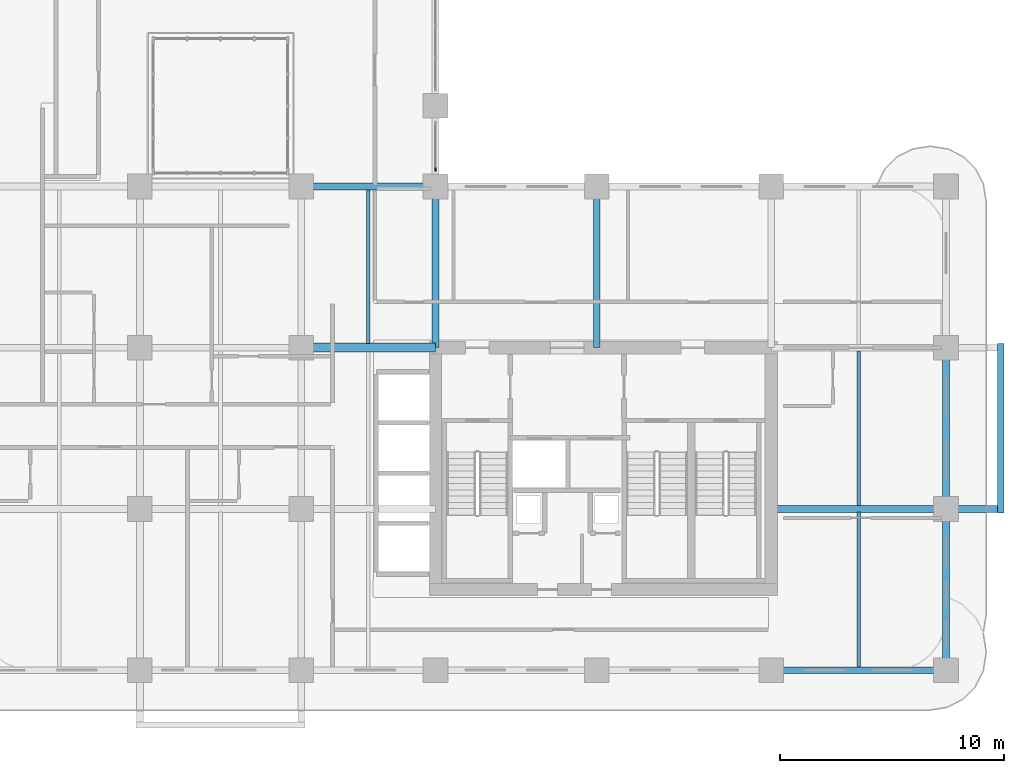
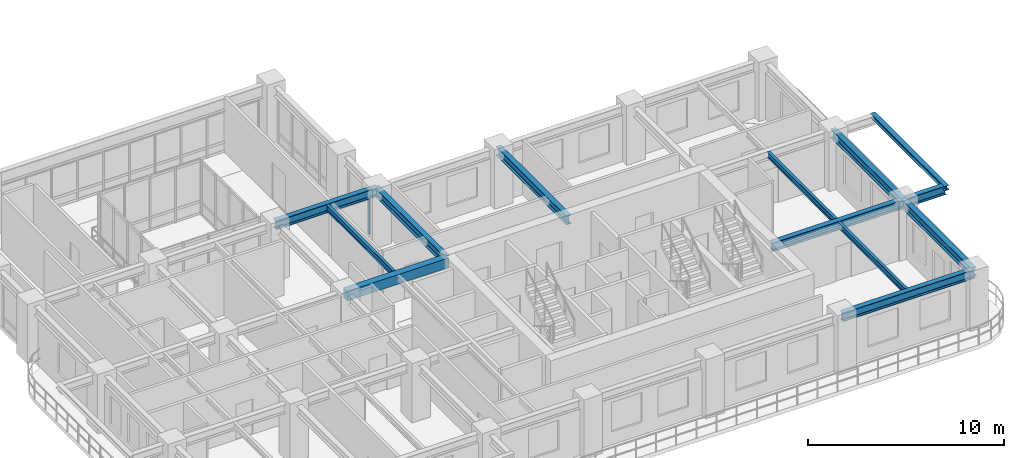
# One storey, part 4 of 22: 12 beams, 1 member, 1 element without a shape of its own.
"""IFC4 building model written with IfcOpenShell, lengths in metres."""

from ifc_helpers import new_model, si_unit, derived_unit, direction, frame, origin, origin_2d, place, context, subcontext, project, spatial, rectangle, i_section, extrude, source, transform, mapped, material, layer, layer_set, material_profile, profile_set, type_object, type_shapes, element, aggregate, save


model = new_model("IFC4")

# Units and contexts
model_context = context("Model", 3, precision=1e-05, world=origin(), true_north=direction((0.0, 1.0)))
body_context = subcontext(model_context, "Body", "Model", "MODEL_VIEW")
ifc_project = project(units=[si_unit("LENGTHUNIT", "METRE"), si_unit("AREAUNIT", "SQUARE_METRE"), si_unit("VOLUMEUNIT", "CUBIC_METRE"), si_unit("PLANEANGLEUNIT", "RADIAN"), si_unit("MASSUNIT", "GRAM", prefix="KILO"), si_unit("THERMODYNAMICTEMPERATUREUNIT", "KELVIN"), si_unit("POWERUNIT", "WATT"), derived_unit("THERMALTRANSMITTANCEUNIT", [(si_unit("POWERUNIT", "WATT"), 1), (si_unit("AREAUNIT", "SQUARE_METRE"), -1), (si_unit("THERMODYNAMICTEMPERATUREUNIT", "KELVIN"), -1)])], contexts=[model_context])

# Site, building, storey
site_placement = place(None, origin())
site = spatial("IfcSite", under=ifc_project, at=site_placement, CompositionType="ELEMENT")
building_placement = place(site_placement, origin())
building = spatial("IfcBuilding", under=site, at=building_placement, Name="Zahravan Archway Hotel and Residences", CompositionType="ELEMENT")
storey_placement = place(building_placement, frame((0.0, 0.0, 87.89990234375)))
storey = spatial("IfcBuildingStorey", under=building, at=storey_placement, Name="L21", CompositionType="ELEMENT", Elevation=87.89990234375)

# Beams
ifc_material_1 = material(Name="Structural Steel S355JR", Category="steel")
ifc_material_profile_1 = material_profile(ifc_material_1, i_section(OverallWidth=0.280029296875, OverallDepth=0.280029296875, WebThickness=0.010498046875, FlangeThickness=0.01806640625, FilletRadius=0.02392578125, at=origin_2d()), Name="HEB 280", Category="steel")
ifc_profile_set_1 = profile_set([ifc_material_profile_1], Name="Structural Steel S355JR")
beam_type_1 = type_object("IfcBeamType", Name="BM-SPN-HEB280", PredefinedType="SPANDREL", material=ifc_profile_set_1)
shared_shape_1 = source(origin(), body_context, "Body", "SweptSolid", [
    extrude(i_section(OverallWidth=0.280029296875, OverallDepth=0.280029296875, WebThickness=0.010498046875, FlangeThickness=0.01806640625, FilletRadius=0.02392578125, at=origin_2d()), origin(), (0.0, 0.0, 1.0), 7.56005859375),
])
type_shapes(beam_type_1, [shared_shape_1])
beam_1_placement = place(storey_placement, frame((60.050048828125, 7.02001953125, 3.31005859375), z_axis=(0.0, 1.0, 0.0), x_axis=(-1.0, 0.0, 0.0)))
element("IfcBeam", 1, at=beam_1_placement, inside=storey, type_object=beam_type_1, Name="L22 EA Balcony Edge Spandrel", PredefinedType="SPANDREL", context=body_context, shape_type="MappedRepresentation", body=[
    mapped(shared_shape_1, transform((0.0, 0.0, 0.0), scale=1.0)),
])
ifc_material_2 = material(Name="Concrete C60/75", Category="concrete")
ifc_material_profile_2 = material_profile(ifc_material_2, rectangle(XDim=0.39990234375, YDim=0.60009765625, at=origin_2d()), Name="RC-LNT-400x600", Category="concrete")
ifc_profile_set_2 = profile_set([ifc_material_profile_2], Name="Concrete C60/75")
beam_type_2 = type_object("IfcBeamType", Name="LNT-RC-400x600", PredefinedType="LINTEL", material=ifc_profile_set_2)
shared_shape_2 = source(origin(), body_context, "Body", "SweptSolid", [
    extrude(rectangle(XDim=0.39990234375, YDim=0.60009765625, at=origin_2d()), origin(), (0.0, 0.0, 1.0), 6.0),
])
type_shapes(beam_type_2, [shared_shape_2])
beam_2_placement = place(storey_placement, frame((28.800048828125, 14.39990234375, 3.150146484375), z_axis=(1.0, 0.0, 0.0), x_axis=(0.0, 1.0, 0.0)))
element("IfcBeam", 2, at=beam_2_placement, inside=storey, type_object=beam_type_2, Name="L21 Core A Coupling Lintel Beam", PredefinedType="LINTEL", context=body_context, shape_type="MappedRepresentation", body=[
    mapped(shared_shape_2, transform((0.0, 0.0, 0.0), scale=1.0)),
])
ifc_material_profile_3 = material_profile(ifc_material_1, i_section(OverallWidth=0.300048828125, OverallDepth=0.550048828125, WebThickness=0.014892578125, FlangeThickness=0.029052734375, FilletRadius=0.027099609375, at=origin_2d()), Name="HEB 550", Category="steel")
ifc_profile_set_3 = profile_set([ifc_material_profile_3], Name="Structural Steel S355JR")
beam_type_3 = type_object("IfcBeamType", Name="BM-PRI-HEB550", PredefinedType="BEAM", material=ifc_profile_set_3)
shared_shape_3 = source(origin(), body_context, "Body", "SweptSolid", [
    extrude(i_section(OverallWidth=0.300048828125, OverallDepth=0.550048828125, WebThickness=0.014892578125, FlangeThickness=0.029052734375, FilletRadius=0.027099609375, at=origin_2d()), origin(), (0.0, 0.0, 1.0), 7.2001953125),
])
type_shapes(beam_type_3, [shared_shape_3])
for number, where, z_axis, x_axis, name in (
    (3, (34.800048828125, 14.39990234375, 3.175048828125), (0.0, 1.0, 0.0), (-1.0, 0.0, 0.0), "L21 Primary Girder NS-45"),
    (4, (42.0, 14.39990234375, 3.175048828125), (0.0, 1.0, 0.0), (-1.0, 0.0, 0.0), "L21 Primary Girder NS-48"),
):
    element("IfcBeam", number, at=place(storey_placement, frame(where, z_axis=z_axis, x_axis=x_axis)), inside=storey, type_object=beam_type_3, Name=name, PredefinedType="BEAM", context=body_context, shape_type="MappedRepresentation", body=[
        mapped(shared_shape_3, transform((0.0, 0.0, 0.0), scale=1.0)),
    ])
shared_shape_4 = source(origin(), body_context, "Body", "SweptSolid", [
    extrude(i_section(OverallWidth=0.300048828125, OverallDepth=0.550048828125, WebThickness=0.014892578125, FlangeThickness=0.029052734375, FilletRadius=0.027099609375, at=origin_2d()), origin(), (0.0, 0.0, 1.0), 7.199951171875),
])
for number, where, z_axis, x_axis, name in (
    (5, (57.60009765625, 0.0, 3.175048828125), (0.0, 1.0, 0.0), (-1.0, 0.0, 0.0), "L21 Primary Girder NS-50"),
    (6, (57.60009765625, 7.199951171875, 3.175048828125), (0.0, 1.0, 0.0), (-1.0, 0.0, 0.0), "L21 Primary Girder NS-51"),
):
    element("IfcBeam", number, at=place(storey_placement, frame(where, z_axis=z_axis, x_axis=x_axis)), inside=storey, type_object=beam_type_3, Name=name, PredefinedType="BEAM", context=body_context, shape_type="MappedRepresentation", body=[
        mapped(shared_shape_4, transform((0.0, 0.0, 0.0), scale=1.0)),
    ])
shared_shape_5 = source(origin(), body_context, "Body", "SweptSolid", [
    extrude(i_section(OverallWidth=0.300048828125, OverallDepth=0.550048828125, WebThickness=0.014892578125, FlangeThickness=0.029052734375, FilletRadius=0.027099609375, at=origin_2d()), origin(), (0.0, 0.0, 1.0), 6.0),
])
beam_3_placement = place(storey_placement, frame((28.800048828125, 21.60009765625, 3.175048828125), z_axis=(1.0, 0.0, 0.0), x_axis=(0.0, 1.0, 0.0)))
element("IfcBeam", 7, at=beam_3_placement, inside=storey, type_object=beam_type_3, Name="L21 Primary Girder EW-16", PredefinedType="BEAM", context=body_context, shape_type="MappedRepresentation", body=[
    mapped(shared_shape_5, transform((0.0, 0.0, 0.0), scale=1.0)),
])
shared_shape_6 = source(origin(), body_context, "Body", "SweptSolid", [
    extrude(i_section(OverallWidth=0.300048828125, OverallDepth=0.550048828125, WebThickness=0.014892578125, FlangeThickness=0.029052734375, FilletRadius=0.027099609375, at=origin_2d()), origin(), (0.0, 0.0, 1.0), 7.800048828125),
])
beam_4_placement = place(storey_placement, frame((49.800048828125, 0.0, 3.175048828125), z_axis=(1.0, 0.0, 0.0), x_axis=(0.0, 1.0, 0.0)))
element("IfcBeam", 8, at=beam_4_placement, inside=storey, type_object=beam_type_3, Name="L21 Primary Girder EW-06", PredefinedType="BEAM", context=body_context, shape_type="MappedRepresentation", body=[
    mapped(shared_shape_6, transform((0.0, 0.0, 0.0), scale=1.0)),
])
shared_shape_7 = source(origin(), body_context, "Body", "SweptSolid", [
    extrude(i_section(OverallWidth=0.300048828125, OverallDepth=0.550048828125, WebThickness=0.014892578125, FlangeThickness=0.029052734375, FilletRadius=0.027099609375, at=origin_2d()), origin(), (0.0, 0.0, 1.0), 10.25),
])
beam_5_placement = place(storey_placement, frame((49.800048828125, 7.199951171875, 3.175048828125), z_axis=(1.0, 0.0, 0.0), x_axis=(0.0, 1.0, 0.0)))
element("IfcBeam", 9, at=beam_5_placement, inside=storey, type_object=beam_type_3, Name="L21 Primary Girder EW-10", PredefinedType="BEAM", context=body_context, shape_type="MappedRepresentation", body=[
    mapped(shared_shape_7, transform((0.0, 0.0, 0.0), scale=1.0)),
])
ifc_material_profile_4 = material_profile(ifc_material_1, i_section(OverallWidth=0.169921875, OverallDepth=0.360107421875, WebThickness=0.008056640625, FlangeThickness=0.0126953125, FilletRadius=0.01806640625, at=origin_2d()), Name="IPE 360", Category="steel")
ifc_profile_set_4 = profile_set([ifc_material_profile_4], Name="Structural Steel S355JR")
beam_type_4 = type_object("IfcBeamType", Name="BM-JST-IPE360", PredefinedType="JOIST", material=ifc_profile_set_4)
shared_shape_8 = source(origin(), body_context, "Body", "SweptSolid", [
    extrude(i_section(OverallWidth=0.169921875, OverallDepth=0.360107421875, WebThickness=0.008056640625, FlangeThickness=0.0126953125, FilletRadius=0.01806640625, at=origin_2d()), origin(), (0.0, 0.0, 1.0), 6.904052734375),
])
type_shapes(beam_type_4, [shared_shape_8])
for number, where, z_axis, x_axis, name in (
    (10, (53.699951171875, 0.14794921875, 3.27001953125), (0.0, 1.0, 0.0), (-1.0, 0.0, 0.0), "L21 Composite Floor Joist 04"),
    (11, (53.699951171875, 7.347900390625, 3.27001953125), (0.0, 1.0, 0.0), (-1.0, 0.0, 0.0), "L21 Composite Floor Joist 08"),
):
    element("IfcBeam", number, at=place(storey_placement, frame(where, z_axis=z_axis, x_axis=x_axis)), inside=storey, type_object=beam_type_4, Name=name, PredefinedType="JOIST", context=body_context, shape_type="MappedRepresentation", body=[
        mapped(shared_shape_8, transform((0.0, 0.0, 0.0), scale=1.0)),
    ])
shared_shape_9 = source(origin(), body_context, "Body", "SweptSolid", [
    extrude(i_section(OverallWidth=0.169921875, OverallDepth=0.360107421875, WebThickness=0.008056640625, FlangeThickness=0.0126953125, FilletRadius=0.01806640625, at=origin_2d()), origin(), (0.0, 0.0, 1.0), 6.85400390625),
])
beam_6_placement = place(storey_placement, frame((31.800048828125, 14.597900390625, 3.27001953125), z_axis=(0.0, 1.0, 0.0), x_axis=(-1.0, 0.0, 0.0)))
element("IfcBeam", 12, at=beam_6_placement, inside=storey, type_object=beam_type_4, Name="L21 Composite Floor Joist 09", PredefinedType="JOIST", context=body_context, shape_type="MappedRepresentation", body=[
    mapped(shared_shape_9, transform((0.0, 0.0, 0.0), scale=1.0)),
])

# Curtain wall, member
ifc_material_3 = material(Name="Bronze-Anodized Unitised Aluminium & Low-E Glass", Category="aluminium")
ifc_layer = layer(ifc_material_3, 0.179931640625, Name="Bronze-Anodized Unitised Aluminium & Low-E Glass", Category="aluminium")
ifc_layer_set = layer_set([ifc_layer], Name="Bronze-Anodized Unitised Aluminium & Low-E Glass")
curtain_wall_type = type_object("IfcCurtainWallType", Name="CW-ATR-GLAZ", PredefinedType="NOTDEFINED", material=ifc_layer_set)
curtain_wall_placement = place(storey_placement, origin())
curtain_wall = element("IfcCurtainWall", 13, at=curtain_wall_placement, inside=storey, type_object=curtain_wall_type, Name="L21 Curtain Wall CW-L21-HNG-E-1", PredefinedType="NOTDEFINED")
ifc_material_4 = material(Name="Bronze-Anodized Extruded Aluminium", Category="aluminium")
ifc_material_profile_5 = material_profile(ifc_material_4, rectangle(XDim=0.080078125, YDim=0.159912109375, at=origin_2d()), Name="MUL 80x160", Category="aluminium")
ifc_profile_set_5 = profile_set([ifc_material_profile_5], Name="Bronze-Anodized Extruded Aluminium")
member_type = type_object("IfcMemberType", Name="CWM-MUL-160", PredefinedType="MULLION", material=ifc_profile_set_5)
shared_shape_10 = source(origin(), body_context, "Body", "SweptSolid", [
    extrude(rectangle(XDim=0.080078125, YDim=0.159912109375, at=origin_2d()), origin(), (0.0, 0.0, 1.0), 2.885009765625),
])
member_placement = place(storey_placement, frame((34.800048828125, 22.360107421875, 0.0), z_axis=(0.0, 0.0, 1.0), x_axis=(1.0, 0.0, 0.0)))
member = element("IfcMember", 14, at=member_placement, type_object=member_type, Name="CW-L21-HNG-E-1 Mullion 0", PredefinedType="MULLION", context=body_context, shape_type="MappedRepresentation", body=[
    mapped(shared_shape_10, transform((0.0, 0.0, 0.0), scale=1.0)),
])
aggregate(curtain_wall, [member])

save(model, "model.ifc")
